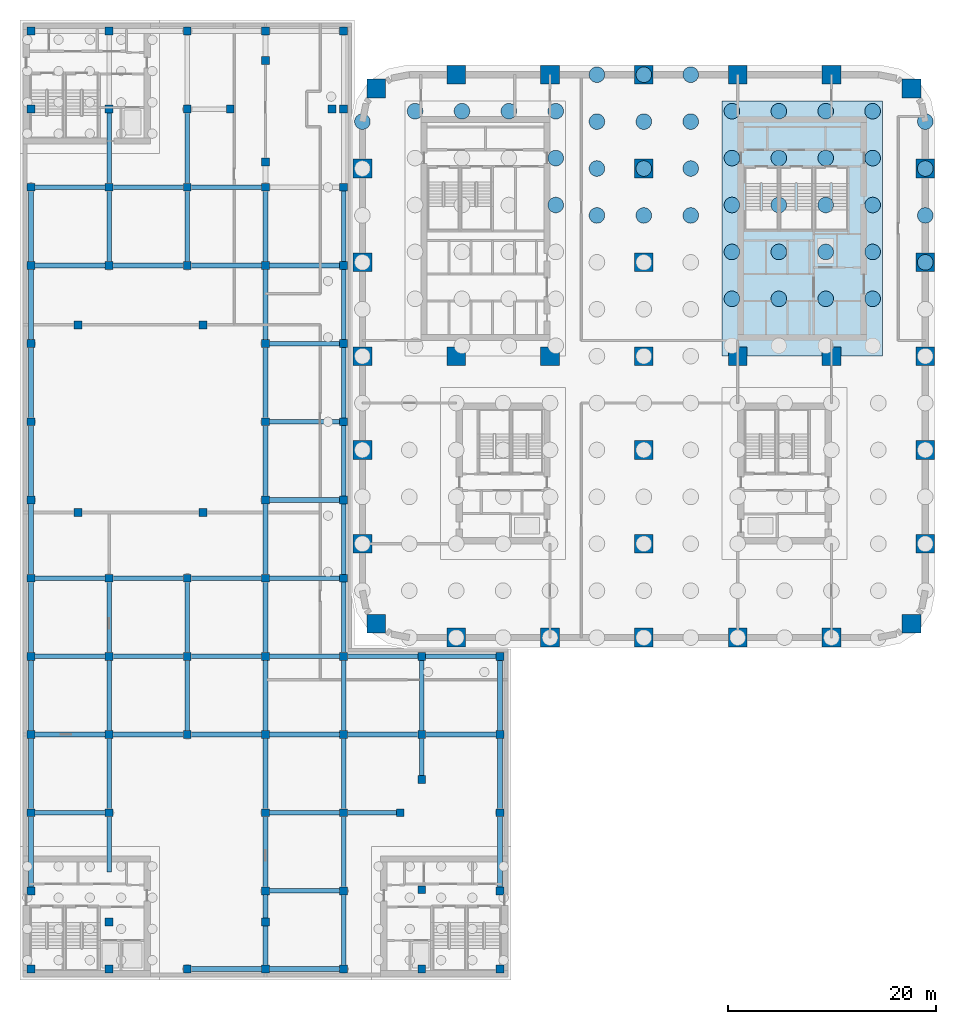
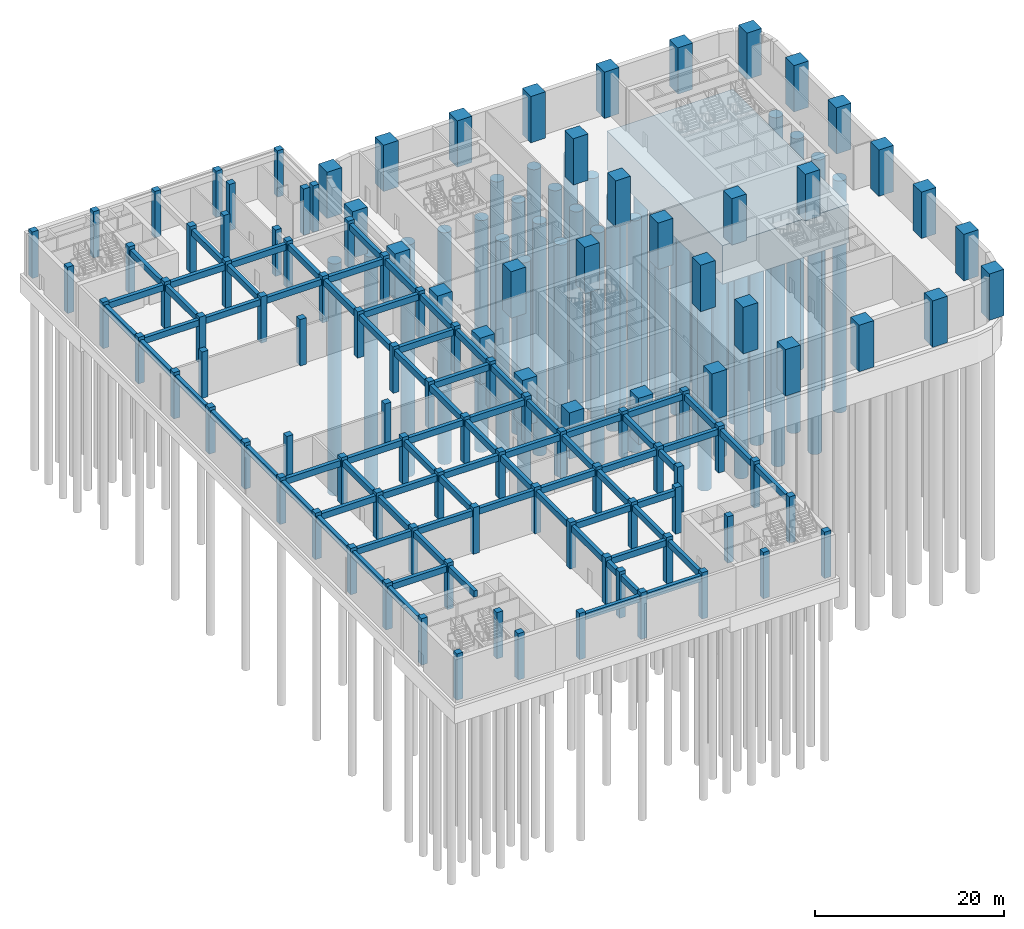
# One storey, part 2 of 26: 109 columns, 77 beams, 43 piles, 1 footing.
"""IFC4 building model written with IfcOpenShell, lengths in metres."""

import ifcopenshell
import ifcopenshell.guid

model = None  # the IFC model being written
_history = None  # IfcOwnerHistory: only IFC2X3 demands one
_inside = {}  # id of a spatial element -> (the spatial element, [elements in it])
_under = {}  # id of a project, library or spatial element -> (it, [spatial elements below it])
_declared = {}  # id of a project -> (the project, [libraries it declares])
_typed = {}  # id of a type object -> (the type object, [elements of that type])
_made_of = {}  # id of a material, layer set ... -> (it, [elements and type objects made of it])


def new_model(schema):
    """Start an empty IFC model of exactly this schema.

    Asked for "IFC4X3", IfcOpenShell would pick the latest addendum, in which some entities
    have other attributes; the version numbers below select the first issue.
    IFC2X3 requires an IfcOwnerHistory on every rooted entity: one is made here for all.
    """
    global model, _history
    if schema == "IFC4X3":
        model = ifcopenshell.file(schema_version=(4, 3, 0, 0))
    else:
        model = ifcopenshell.file(schema=schema)
    _inside.clear()
    _under.clear()
    _declared.clear()
    _typed.clear()
    _made_of.clear()
    _history = None
    if model.schema == "IFC2X3":
        org = make("IfcOrganization", Name="unknown")
        user = make(
            "IfcPersonAndOrganization",
            ThePerson=make("IfcPerson", FamilyName="unknown"),
            TheOrganization=org,
        )
        app = make(
            "IfcApplication",
            ApplicationDeveloper=org,
            Version="unknown",
            ApplicationFullName="unknown",
            ApplicationIdentifier="unknown",
        )
        _history = make(
            "IfcOwnerHistory",
            OwningUser=user,
            OwningApplication=app,
            ChangeAction="ADDED",
            CreationDate=0,
        )
    return model


def make(cls, **values):
    """One entity of the class cls with the attributes given. An attribute that is None is left unset."""
    return model.create_entity(
        cls, **{name: value for name, value in values.items() if value is not None}
    )


def rooted(cls, **values):
    """An entity with a GlobalId (a new one), such as an element, a storey or a relation."""
    return make(cls, GlobalId=ifcopenshell.guid.new(), OwnerHistory=_history, **values)


def si_unit(unit_type, name, prefix=None):
    """IfcSIUnit, for example si_unit("LENGTHUNIT", "METRE", prefix="MILLI")."""
    return make("IfcSIUnit", UnitType=unit_type, Prefix=prefix, Name=name)


def assignment(units):
    """IfcUnitAssignment: the units of a project."""
    return None if units is None else make("IfcUnitAssignment", Units=units)


def point(xyz):
    """IfcCartesianPoint."""
    return None if xyz is None else make("IfcCartesianPoint", Coordinates=xyz)


def direction(xyz):
    """IfcDirection."""
    return None if xyz is None else make("IfcDirection", DirectionRatios=xyz)


def frame(location, z_axis=None, x_axis=None):
    """IfcAxis2Placement3D, a coordinate frame: its origin and axes. An axis left out is left unset."""
    return make(
        "IfcAxis2Placement3D",
        Location=point(location),
        Axis=direction(z_axis),
        RefDirection=direction(x_axis),
    )


def frame_2d(location, x_axis=None):
    """IfcAxis2Placement2D, a coordinate frame in the plane: its origin and x axis."""
    return make(
        "IfcAxis2Placement2D", Location=point(location), RefDirection=direction(x_axis)
    )


def origin():
    """The frame at (0, 0, 0) with its axes left unset."""
    return frame((0.0, 0.0, 0.0))


def origin_2d():
    """The frame at (0, 0) in the plane with its x axis left unset."""
    return frame_2d((0.0, 0.0))


def place(relative_to, where):
    """IfcLocalPlacement: puts the frame where relative to a parent placement (None: the world)."""
    return make(
        "IfcLocalPlacement", PlacementRelTo=relative_to, RelativePlacement=where
    )


def context(
    kind, dimensions, precision=None, world=None, true_north=None, identifier=None
):
    """IfcGeometricRepresentationContext, for example the 3D "Model" context."""
    return make(
        "IfcGeometricRepresentationContext",
        ContextIdentifier=identifier,
        ContextType=kind,
        CoordinateSpaceDimension=dimensions,
        Precision=precision,
        WorldCoordinateSystem=world,
        TrueNorth=true_north,
    )


def subcontext(parent, identifier, kind, view, scale=None):
    """IfcGeometricRepresentationSubContext, for example "Body" below "Model"."""
    return make(
        "IfcGeometricRepresentationSubContext",
        ContextIdentifier=identifier,
        ContextType=kind,
        ParentContext=parent,
        TargetScale=scale,
        TargetView=view,
    )


def project(units=None, contexts=None):
    """IfcProject with its units and contexts."""
    return rooted(
        "IfcProject",
        Name="project",
        RepresentationContexts=contexts,
        UnitsInContext=assignment(units),
    )


def spatial(cls, under=None, at=None, **own):
    """A site, building, storey or space (cls), placed at a placement, below another one or the project."""
    s = rooted(cls, ObjectPlacement=at, **own)
    if under is not None:
        _under.setdefault(under.id(), (under, []))[1].append(s)
    return s


def polyline(points):
    """IfcPolyline through the points."""
    return make("IfcPolyline", Points=[point(p) for p in points])


def profile(cls, at=None, kind="AREA", **sizes):
    """A parametric profile (cls). Its sizes go by their IFC names, for example OverallWidth=200.0."""
    return make(cls, ProfileType=kind, Position=at, **sizes)


def rectangle(**sizes):
    """IfcRectangleProfileDef."""
    return profile("IfcRectangleProfileDef", **sizes)


def circle(**sizes):
    """IfcCircleProfileDef."""
    return profile("IfcCircleProfileDef", **sizes)


def outline(outer, holes=None, kind="AREA"):
    """IfcArbitraryClosedProfileDef: a profile drawn as a closed curve; with holes, ...WithVoids."""
    if holes is None:
        return make("IfcArbitraryClosedProfileDef", ProfileType=kind, OuterCurve=outer)
    return make(
        "IfcArbitraryProfileDefWithVoids",
        ProfileType=kind,
        OuterCurve=outer,
        InnerCurves=holes,
    )


def extrude(swept, where, along, depth):
    """IfcExtrudedAreaSolid: the profile swept, set in the frame where, extruded along a direction by depth."""
    return make(
        "IfcExtrudedAreaSolid",
        SweptArea=swept,
        Position=where,
        ExtrudedDirection=direction(along),
        Depth=depth,
    )


def shape(context_of_items, identifier, shape_type, items):
    """IfcShapeRepresentation: the items that make up one representation, for example the "Body"."""
    return make(
        "IfcShapeRepresentation",
        ContextOfItems=context_of_items,
        RepresentationIdentifier=identifier,
        RepresentationType=shape_type,
        Items=items,
    )


def material(Name=None, Category=None):
    """IfcMaterial."""
    return make("IfcMaterial", Name=Name, Category=Category)


def layer(
    of_material, thickness, ventilated=None, Name=None, Category=None, Priority=None
):
    """IfcMaterialLayer: one layer of a wall or slab, of a material (None: an air gap)."""
    return make(
        "IfcMaterialLayer",
        Material=of_material,
        LayerThickness=thickness,
        IsVentilated=ventilated,
        Name=Name,
        Category=Category,
        Priority=Priority,
    )


def layer_set(layers, Name=None):
    """IfcMaterialLayerSet."""
    return make("IfcMaterialLayerSet", MaterialLayers=layers, LayerSetName=Name)


def material_profile(
    of_material, cross_section, Name=None, Category=None, Priority=None
):
    """IfcMaterialProfile: a cross section and its material."""
    return make(
        "IfcMaterialProfile",
        Name=Name,
        Material=of_material,
        Profile=cross_section,
        Priority=Priority,
        Category=Category,
    )


def profile_set(profiles, Name=None, composite=None):
    """IfcMaterialProfileSet."""
    return make(
        "IfcMaterialProfileSet",
        Name=Name,
        MaterialProfiles=profiles,
        CompositeProfile=composite,
    )


def made_of(thing, what):
    """Note that an element or type object is made of a material, layer set ...; save() writes the relation."""
    if what is not None:
        _made_of.setdefault(what.id(), (what, []))[1].append(thing)
    return thing


def type_object(cls, material=None, **own):
    """A type object (cls), such as IfcWallType, which elements share."""
    return made_of(rooted(cls, **own), material)


def element(
    cls,
    number,
    at=None,
    inside=None,
    cuts=None,
    type_object=None,
    material=None,
    context=None,
    identifier="Body",
    shape_type=None,
    held_by="IfcProductDefinitionShape",
    body=None,
    shapes=None,
    **own,
):
    """One element of the class cls, such as IfcWall. Its Tag is "e" and its number.

    at: its placement. inside: the storey or other place that contains it. cuts: it is an
    opening in that element (IfcRelVoidsElement). A single representation is given by context,
    identifier, shape_type and body (its items); several are given by shapes. held_by: the class
    of the entity that holds the representations. save() writes the other relations.
    """
    e = rooted(cls, Tag="e%d" % number, ObjectPlacement=at, **own)
    if body is not None:
        shapes = [shape(context, identifier, shape_type, body)]
    if shapes is not None:
        e.Representation = make(held_by, Representations=shapes)
    if inside is not None:
        _inside.setdefault(inside.id(), (inside, []))[1].append(e)
    if cuts is not None:
        rooted(
            "IfcRelVoidsElement", RelatingBuildingElement=cuts, RelatedOpeningElement=e
        )
    if type_object is not None:
        _typed.setdefault(type_object.id(), (type_object, []))[1].append(e)
    return made_of(e, material)


def aggregate(whole, parts):
    """IfcRelAggregates: a whole, such as a stair, and the parts it consists of."""
    return rooted("IfcRelAggregates", RelatingObject=whole, RelatedObjects=parts)


def save(model, path):
    """Write the relations noted so far, then the file.

    IfcRelAggregates (storeys below a building ...), IfcRelContainedInSpatialStructure (elements
    in a storey), IfcRelDefinesByType, IfcRelAssociatesMaterial and IfcRelDeclares: one each for
    every whole, place, type object, material and project.
    """
    for whole, parts in _under.values():
        aggregate(whole, parts)
    for where, things in _inside.values():
        rooted(
            "IfcRelContainedInSpatialStructure",
            RelatedElements=things,
            RelatingStructure=where,
        )
    for kind, things in _typed.values():
        rooted("IfcRelDefinesByType", RelatedObjects=things, RelatingType=kind)
    for what, things in _made_of.values():
        rooted("IfcRelAssociatesMaterial", RelatedObjects=things, RelatingMaterial=what)
    for by, libraries in _declared.values():
        rooted("IfcRelDeclares", RelatingContext=by, RelatedDefinitions=libraries)
    model.write(path)


model = new_model("IFC4")

# Units and contexts
model_context = context("Model", 3, precision=1e-05, world=origin(), true_north=direction((0.0, 1.0)))
body_context = subcontext(model_context, "Body", "Model", "MODEL_VIEW")
ifc_project = project(units=[si_unit("LENGTHUNIT", "METRE"), si_unit("AREAUNIT", "SQUARE_METRE"), si_unit("VOLUMEUNIT", "CUBIC_METRE"), si_unit("PLANEANGLEUNIT", "RADIAN"), si_unit("MASSUNIT", "GRAM", prefix="KILO")], contexts=[model_context])

# Site, building, storey
site_placement = place(None, origin())
site = spatial("IfcSite", under=ifc_project, at=site_placement, CompositionType="ELEMENT")
building_placement = place(site_placement, origin())
building = spatial("IfcBuilding", under=site, at=building_placement, Name="Tessera Arch", CompositionType="ELEMENT")
storey_placement = place(building_placement, frame((0.0, 0.0, -6.0)))
storey = spatial("IfcBuildingStorey", under=building, at=storey_placement, Name="B1", CompositionType="ELEMENT", Elevation=-6.0)

# Piles
ifc_material_1 = material(Name="Concrete C40/50", Category="concrete")
pile_type = type_object("IfcPileType", Name="Bored pile 1500 Concrete C40/50", PredefinedType="BORED", material=ifc_material_1)
for number, where, z_axis, x_axis, name in (
    (1, (54.0, 36.0, -3.800048828125), (0.0, 0.0, -1.0), (1.0, 0.0, 0.0), "Bored pile T067"),
    (2, (22.5, 40.5, -3.800048828125), (0.0, 0.0, -1.0), (1.0, 0.0, 0.0), "Bored pile T069"),
    (3, (27.0, 40.5, -3.800048828125), (0.0, 0.0, -1.0), (1.0, 0.0, 0.0), "Bored pile T070"),
    (4, (31.5, 40.5, -3.800048828125), (0.0, 0.0, -1.0), (1.0, 0.0, 0.0), "Bored pile T071"),
    (5, (54.0, 40.5, -3.800048828125), (0.0, 0.0, -1.0), (1.0, 0.0, 0.0), "Bored pile T072"),
    (6, (22.5, 45.0, -3.800048828125), (0.0, 0.0, -1.0), (1.0, 0.0, 0.0), "Bored pile T074"),
    (7, (27.0, 45.0, -3.800048828125), (0.0, 0.0, -1.0), (1.0, 0.0, 0.0), "Bored pile T075"),
    (8, (31.5, 45.0, -3.800048828125), (0.0, 0.0, -1.0), (1.0, 0.0, 0.0), "Bored pile T076"),
    (9, (54.0, 45.0, -3.800048828125), (0.0, 0.0, -1.0), (1.0, 0.0, 0.0), "Bored pile T077"),
    (10, (0.0, 49.5, -3.800048828125), (0.0, 0.0, -1.0), (1.0, 0.0, 0.0), "Bored pile T078"),
    (11, (22.5, 49.5, -3.800048828125), (0.0, 0.0, -1.0), (1.0, 0.0, 0.0), "Bored pile T079"),
    (12, (27.0, 49.5, -3.800048828125), (0.0, 0.0, -1.0), (1.0, 0.0, 0.0), "Bored pile T080"),
    (13, (31.5, 49.5, -3.800048828125), (0.0, 0.0, -1.0), (1.0, 0.0, 0.0), "Bored pile T081"),
    (14, (54.0, 49.5, -3.800048828125), (0.0, 0.0, -1.0), (1.0, 0.0, 0.0), "Bored pile T082"),
    (15, (22.5, 54.0, -3.800048828125), (0.0, 0.0, -1.0), (1.0, 0.0, 0.0), "Bored pile T083"),
    (16, (27.0, 54.0, -3.800048828125), (0.0, 0.0, -1.0), (1.0, 0.0, 0.0), "Bored pile T084"),
    (17, (31.5, 54.0, -3.800048828125), (0.0, 0.0, -1.0), (1.0, 0.0, 0.0), "Bored pile T085"),
    (18, (35.449951171875, 32.5, -5.300048828125), (0.0, 0.0, -1.0), (1.0, 0.0, 0.0), "Bored pile C1-05"),
    (19, (39.949951171875, 32.5, -5.300048828125), (0.0, 0.0, -1.0), (1.0, 0.0, 0.0), "Bored pile C1-06"),
    (20, (44.449951171875, 32.5, -5.300048828125), (0.0, 0.0, -1.0), (1.0, 0.0, 0.0), "Bored pile C1-07"),
    (21, (48.949951171875, 32.5, -5.300048828125), (0.0, 0.0, -1.0), (1.0, 0.0, 0.0), "Bored pile C1-08"),
    (22, (35.449951171875, 37.0, -5.300048828125), (0.0, 0.0, -1.0), (1.0, 0.0, 0.0), "Bored pile C1-09"),
    (23, (39.949951171875, 37.0, -5.300048828125), (0.0, 0.0, -1.0), (1.0, 0.0, 0.0), "Bored pile C1-10"),
    (24, (44.449951171875, 37.0, -5.300048828125), (0.0, 0.0, -1.0), (1.0, 0.0, 0.0), "Bored pile C1-11"),
    (25, (48.949951171875, 37.0, -5.300048828125), (0.0, 0.0, -1.0), (1.0, 0.0, 0.0), "Bored pile C1-12"),
    (26, (35.449951171875, 41.5, -5.300048828125), (0.0, 0.0, -1.0), (1.0, 0.0, 0.0), "Bored pile C1-13"),
    (27, (39.949951171875, 41.5, -5.300048828125), (0.0, 0.0, -1.0), (1.0, 0.0, 0.0), "Bored pile C1-14"),
    (28, (44.449951171875, 41.5, -5.300048828125), (0.0, 0.0, -1.0), (1.0, 0.0, 0.0), "Bored pile C1-15"),
    (29, (48.949951171875, 41.5, -5.300048828125), (0.0, 0.0, -1.0), (1.0, 0.0, 0.0), "Bored pile C1-16"),
    (30, (35.449951171875, 46.0, -5.300048828125), (0.0, 0.0, -1.0), (1.0, 0.0, 0.0), "Bored pile C1-17"),
    (31, (39.949951171875, 46.0, -5.300048828125), (0.0, 0.0, -1.0), (1.0, 0.0, 0.0), "Bored pile C1-18"),
    (32, (44.449951171875, 46.0, -5.300048828125), (0.0, 0.0, -1.0), (1.0, 0.0, 0.0), "Bored pile C1-19"),
    (33, (48.949951171875, 46.0, -5.300048828125), (0.0, 0.0, -1.0), (1.0, 0.0, 0.0), "Bored pile C1-20"),
    (34, (35.449951171875, 50.5, -5.300048828125), (0.0, 0.0, -1.0), (1.0, 0.0, 0.0), "Bored pile C1-21"),
    (35, (39.949951171875, 50.5, -5.300048828125), (0.0, 0.0, -1.0), (1.0, 0.0, 0.0), "Bored pile C1-22"),
    (36, (44.449951171875, 50.5, -5.300048828125), (0.0, 0.0, -1.0), (1.0, 0.0, 0.0), "Bored pile C1-23"),
    (37, (48.949951171875, 50.5, -5.300048828125), (0.0, 0.0, -1.0), (1.0, 0.0, 0.0), "Bored pile C1-24"),
    (38, (18.550048828125, 41.5, -5.300048828125), (0.0, 0.0, -1.0), (1.0, 0.0, 0.0), "Bored pile C2-16"),
    (39, (18.550048828125, 46.0, -5.300048828125), (0.0, 0.0, -1.0), (1.0, 0.0, 0.0), "Bored pile C2-20"),
    (40, (5.050048828125, 50.5, -5.300048828125), (0.0, 0.0, -1.0), (1.0, 0.0, 0.0), "Bored pile C2-21"),
    (41, (9.550048828125, 50.5, -5.300048828125), (0.0, 0.0, -1.0), (1.0, 0.0, 0.0), "Bored pile C2-22"),
    (42, (14.050048828125, 50.5, -5.300048828125), (0.0, 0.0, -1.0), (1.0, 0.0, 0.0), "Bored pile C2-23"),
    (43, (18.550048828125, 50.5, -5.300048828125), (0.0, 0.0, -1.0), (1.0, 0.0, 0.0), "Bored pile C2-24"),
):
    element("IfcPile", number, at=place(storey_placement, frame(where, z_axis=z_axis, x_axis=x_axis)), inside=storey, type_object=pile_type, Name=name, PredefinedType="BORED", context=body_context, shape_type="SweptSolid", body=[
        extrude(circle(Radius=0.75, at=origin_2d()), origin(), (0.0, 0.0, 1.0), 30.0),
    ])

# Footing
ifc_material_2 = material(Name="Concrete C50/60", Category="concrete")
ifc_layer = layer(ifc_material_2, 5.0)
ifc_layer_set = layer_set([ifc_layer], Name="Core pad 5000 Concrete C50/60")
footing_type = type_object("IfcFootingType", Name="Core pad 5000 Concrete C50/60", PredefinedType="PILE_CAP", material=ifc_layer_set)
footing_placement = place(storey_placement, frame((0.0, 0.0, -5.39990234375)))
element("IfcFooting", 44, at=footing_placement, inside=storey, type_object=footing_type, Name="Core pad C1", PredefinedType="PILE_CAP", context=body_context, shape_type="SweptSolid", body=[
    extrude(outline(polyline([(34.5, 27.0), (34.5, 51.5), (49.89990234375, 51.5), (49.89990234375, 27.0), (34.5, 27.0)])), origin(), (0.0, 0.0, 1.0), 5.0),
])

# Columns
ifc_material_3 = material(Name="Concrete C50/60", Category="concrete")
ifc_material_profile_1 = material_profile(ifc_material_3, rectangle(XDim=0.75, YDim=0.75, at=origin_2d()), Name="Museum column 750 x 750 Concrete C50/60")
ifc_profile_set_1 = profile_set([ifc_material_profile_1], Name="Concrete C50/60")
column_type_1 = type_object("IfcColumnType", Name="Museum column 750 x 750 Concrete C50/60", PredefinedType="COLUMN", material=ifc_profile_set_1)
for number, where, z_axis, x_axis, name in (
    (45, (-31.800048828125, -31.800048828125, 0.0), (0.0, 0.0, 1.0), (1.0, 0.0, 0.0), "Museum column P1Q1 B1"),
    (46, (-31.800048828125, -24.300048828125, 0.0), (0.0, 0.0, 1.0), (1.0, 0.0, 0.0), "Museum column P1Q2 B1"),
    (47, (-31.800048828125, -16.800048828125, 0.0), (0.0, 0.0, 1.0), (1.0, 0.0, 0.0), "Museum column P1Q3 B1"),
    (48, (-31.800048828125, -9.300048828125, 0.0), (0.0, 0.0, 1.0), (1.0, 0.0, 0.0), "Museum column P1Q4 B1"),
    (49, (-31.800048828125, -1.800048828125, 0.0), (0.0, 0.0, 1.0), (1.0, 0.0, 0.0), "Museum column P1Q5 B1"),
    (50, (-31.800048828125, 5.699951171875, 0.0), (0.0, 0.0, 1.0), (1.0, 0.0, 0.0), "Museum column P1Q6 B1"),
    (51, (-31.800048828125, 13.199951171875, 0.0), (0.0, 0.0, 1.0), (1.0, 0.0, 0.0), "Museum column P1Q7 B1"),
    (52, (-31.800048828125, 20.699951171875, 0.0), (0.0, 0.0, 1.0), (1.0, 0.0, 0.0), "Museum column P1Q8 B1"),
    (53, (-31.800048828125, 28.199951171875, 0.0), (0.0, 0.0, 1.0), (1.0, 0.0, 0.0), "Museum column P1Q9 B1"),
    (54, (-31.800048828125, 35.699951171875, 0.0), (0.0, 0.0, 1.0), (1.0, 0.0, 0.0), "Museum column P1Q10 B1"),
    (55, (-31.800048828125, 43.199951171875, 0.0), (0.0, 0.0, 1.0), (1.0, 0.0, 0.0), "Museum column P1Q11 B1"),
    (56, (-31.800048828125, 50.699951171875, 0.0), (0.0, 0.0, 1.0), (1.0, 0.0, 0.0), "Museum column P1Q12 B1"),
    (57, (-31.800048828125, 58.199951171875, 0.0), (0.0, 0.0, 1.0), (1.0, 0.0, 0.0), "Museum column P1Q13 B1"),
    (58, (-24.300048828125, -31.800048828125, 0.0), (0.0, 0.0, 1.0), (1.0, 0.0, 0.0), "Museum column P2Q1 B1"),
    (59, (-24.300048828125, -16.800048828125, 0.0), (0.0, 0.0, 1.0), (1.0, 0.0, 0.0), "Museum column P2Q3 B1"),
    (60, (-24.300048828125, -9.300048828125, 0.0), (0.0, 0.0, 1.0), (1.0, 0.0, 0.0), "Museum column P2Q4 B1"),
    (61, (-24.300048828125, -1.800048828125, 0.0), (0.0, 0.0, 1.0), (1.0, 0.0, 0.0), "Museum column P2Q5 B1"),
    (62, (-24.300048828125, 5.699951171875, 0.0), (0.0, 0.0, 1.0), (1.0, 0.0, 0.0), "Museum column P2Q6 B1"),
    (63, (-24.300048828125, 35.699951171875, 0.0), (0.0, 0.0, 1.0), (1.0, 0.0, 0.0), "Museum column P2Q10 B1"),
    (64, (-24.300048828125, 43.199951171875, 0.0), (0.0, 0.0, 1.0), (1.0, 0.0, 0.0), "Museum column P2Q11 B1"),
    (65, (-24.300048828125, 50.699951171875, 0.0), (0.0, 0.0, 1.0), (1.0, 0.0, 0.0), "Museum column P2Q12 B1"),
    (66, (-24.300048828125, 58.199951171875, 0.0), (0.0, 0.0, 1.0), (1.0, 0.0, 0.0), "Museum column P2Q13 B1"),
    (67, (-16.800048828125, -31.800048828125, 0.0), (0.0, 0.0, 1.0), (1.0, 0.0, 0.0), "Museum column P3Q1 B1"),
    (68, (-16.800048828125, -9.300048828125, 0.0), (0.0, 0.0, 1.0), (1.0, 0.0, 0.0), "Museum column P3Q4 B1"),
    (69, (-16.800048828125, -1.800048828125, 0.0), (0.0, 0.0, 1.0), (1.0, 0.0, 0.0), "Museum column P3Q5 B1"),
    (70, (-16.800048828125, 5.699951171875, 0.0), (0.0, 0.0, 1.0), (1.0, 0.0, 0.0), "Museum column P3Q6 B1"),
    (71, (-16.800048828125, 35.699951171875, 0.0), (0.0, 0.0, 1.0), (1.0, 0.0, 0.0), "Museum column P3Q10 B1"),
    (72, (-16.800048828125, 43.199951171875, 0.0), (0.0, 0.0, 1.0), (1.0, 0.0, 0.0), "Museum column P3Q11 B1"),
    (73, (-16.800048828125, 50.699951171875, 0.0), (0.0, 0.0, 1.0), (1.0, 0.0, 0.0), "Museum column P3Q12 B1"),
    (74, (-16.800048828125, 58.199951171875, 0.0), (0.0, 0.0, 1.0), (1.0, 0.0, 0.0), "Museum column P3Q13 B1"),
    (75, (-9.300048828125, -31.800048828125, 0.0), (0.0, 0.0, 1.0), (1.0, 0.0, 0.0), "Museum column P4Q1 B1"),
    (76, (-9.300048828125, -24.300048828125, 0.0), (0.0, 0.0, 1.0), (1.0, 0.0, 0.0), "Museum column P4Q2 B1"),
    (77, (-9.300048828125, -16.800048828125, 0.0), (0.0, 0.0, 1.0), (1.0, 0.0, 0.0), "Museum column P4Q3 B1"),
    (78, (-9.300048828125, -9.300048828125, 0.0), (0.0, 0.0, 1.0), (1.0, 0.0, 0.0), "Museum column P4Q4 B1"),
    (79, (-9.300048828125, -1.800048828125, 0.0), (0.0, 0.0, 1.0), (1.0, 0.0, 0.0), "Museum column P4Q5 B1"),
    (80, (-9.300048828125, 5.699951171875, 0.0), (0.0, 0.0, 1.0), (1.0, 0.0, 0.0), "Museum column P4Q6 B1"),
    (81, (-9.300048828125, 13.199951171875, 0.0), (0.0, 0.0, 1.0), (1.0, 0.0, 0.0), "Museum column P4Q7 B1"),
    (82, (-9.300048828125, 20.699951171875, 0.0), (0.0, 0.0, 1.0), (1.0, 0.0, 0.0), "Museum column P4Q8 B1"),
    (83, (-9.300048828125, 28.199951171875, 0.0), (0.0, 0.0, 1.0), (1.0, 0.0, 0.0), "Museum column P4Q9 B1"),
    (84, (-9.300048828125, 35.699951171875, 0.0), (0.0, 0.0, 1.0), (1.0, 0.0, 0.0), "Museum column P4Q10 B1"),
    (85, (-9.300048828125, 43.199951171875, 0.0), (0.0, 0.0, 1.0), (1.0, 0.0, 0.0), "Museum column P4Q11 B1"),
    (86, (-9.300048828125, 58.199951171875, 0.0), (0.0, 0.0, 1.0), (1.0, 0.0, 0.0), "Museum column P4Q13 B1"),
    (87, (-1.800048828125, -31.800048828125, 0.0), (0.0, 0.0, 1.0), (1.0, 0.0, 0.0), "Museum column P5Q1 B1"),
    (88, (-1.800048828125, -24.300048828125, 0.0), (0.0, 0.0, 1.0), (1.0, 0.0, 0.0), "Museum column P5Q2 B1"),
    (89, (-1.800048828125, -16.800048828125, 0.0), (0.0, 0.0, 1.0), (1.0, 0.0, 0.0), "Museum column P5Q3 B1"),
    (90, (-1.800048828125, -9.300048828125, 0.0), (0.0, 0.0, 1.0), (1.0, 0.0, 0.0), "Museum column P5Q4 B1"),
    (91, (-1.800048828125, -1.800048828125, 0.0), (0.0, 0.0, 1.0), (1.0, 0.0, 0.0), "Museum column P5Q5 B1"),
    (92, (-1.800048828125, 5.699951171875, 0.0), (0.0, 0.0, 1.0), (1.0, 0.0, 0.0), "Museum column P5Q6 B1"),
    (93, (-1.800048828125, 13.199951171875, 0.0), (0.0, 0.0, 1.0), (1.0, 0.0, 0.0), "Museum column P5Q7 B1"),
    (94, (-1.800048828125, 20.699951171875, 0.0), (0.0, 0.0, 1.0), (1.0, 0.0, 0.0), "Museum column P5Q8 B1"),
    (95, (-1.800048828125, 28.199951171875, 0.0), (0.0, 0.0, 1.0), (1.0, 0.0, 0.0), "Museum column P5Q9 B1"),
    (96, (-1.800048828125, 35.699951171875, 0.0), (0.0, 0.0, 1.0), (1.0, 0.0, 0.0), "Museum column P5Q10 B1"),
    (97, (-1.800048828125, 43.199951171875, 0.0), (0.0, 0.0, 1.0), (1.0, 0.0, 0.0), "Museum column P5Q11 B1"),
    (98, (-1.800048828125, 50.699951171875, 0.0), (0.0, 0.0, 1.0), (1.0, 0.0, 0.0), "Museum column P5Q12 B1"),
    (99, (-1.800048828125, 58.199951171875, 0.0), (0.0, 0.0, 1.0), (1.0, 0.0, 0.0), "Museum column P5Q13 B1"),
    (100, (5.699951171875, -31.800048828125, 0.0), (0.0, 0.0, 1.0), (1.0, 0.0, 0.0), "Museum column P6Q1 B1"),
    (101, (5.699951171875, -24.199951171875, 0.0), (0.0, 0.0, 1.0), (1.0, 0.0, 0.0), "Museum column P6Q2 B1"),
    (102, (5.699951171875, -9.300048828125, 0.0), (0.0, 0.0, 1.0), (1.0, 0.0, 0.0), "Museum column P6Q4 B1"),
    (103, (5.699951171875, -1.800048828125, 0.0), (0.0, 0.0, 1.0), (1.0, 0.0, 0.0), "Museum column P6Q5 B1"),
    (104, (13.199951171875, -31.800048828125, 0.0), (0.0, 0.0, 1.0), (1.0, 0.0, 0.0), "Museum column P7Q1 B1"),
    (105, (13.199951171875, -24.300048828125, 0.0), (0.0, 0.0, 1.0), (1.0, 0.0, 0.0), "Museum column P7Q2 B1"),
    (106, (13.199951171875, -16.800048828125, 0.0), (0.0, 0.0, 1.0), (1.0, 0.0, 0.0), "Museum column P7Q3 B1"),
    (107, (13.199951171875, -9.300048828125, 0.0), (0.0, 0.0, 1.0), (1.0, 0.0, 0.0), "Museum column P7Q4 B1"),
    (108, (13.199951171875, -1.800048828125, 0.0), (0.0, 0.0, 1.0), (1.0, 0.0, 0.0), "Museum column P7Q5 B1"),
    (109, (-27.300048828125, 12.0, 0.0), (0.0, 0.0, 1.0), (1.0, 0.0, 0.0), "Museum column C1 B1"),
    (110, (-15.300048828125, 12.0, 0.0), (0.0, 0.0, 1.0), (1.0, 0.0, 0.0), "Museum column C2 B1"),
    (111, (-15.300048828125, 30.0, 0.0), (0.0, 0.0, 1.0), (1.0, 0.0, 0.0), "Museum column C3 B1"),
    (112, (-27.300048828125, 30.0, 0.0), (0.0, 0.0, 1.0), (1.0, 0.0, 0.0), "Museum column C4 B1"),
    (113, (-24.300048828125, -27.300048828125, 0.0), (0.0, 0.0, 1.0), (1.0, 0.0, 0.0), "Museum column A1 B1"),
    (114, (-9.300048828125, -27.300048828125, 0.0), (0.0, 0.0, 1.0), (1.0, 0.0, 0.0), "Museum column A2 B1"),
    (115, (-12.675048828125, 50.699951171875, 0.0), (0.0, 0.0, 1.0), (1.0, 0.0, 0.0), "Museum column P3Q12TE B1"),
    (116, (-9.300048828125, 45.625, 0.0), (0.0, 0.0, 1.0), (1.0, 0.0, 0.0), "Museum column P4Q11TN B1"),
    (117, (-9.300048828125, 55.375, 0.0), (0.0, 0.0, 1.0), (1.0, 0.0, 0.0), "Museum column P4Q13TS B1"),
    (118, (3.625, -16.800048828125, 0.0), (0.0, 0.0, 1.0), (1.0, 0.0, 0.0), "Museum column P5Q3TE B1"),
    (119, (-2.925048828125, 50.699951171875, 0.0), (0.0, 0.0, 1.0), (1.0, 0.0, 0.0), "Museum column P5Q12TW B1"),
    (120, (5.699951171875, -13.625, 0.0), (0.0, 0.0, 1.0), (1.0, 0.0, 0.0), "Museum column P6Q4TS B1"),
):
    element("IfcColumn", number, at=place(storey_placement, frame(where, z_axis=z_axis, x_axis=x_axis)), inside=storey, type_object=column_type_1, Name=name, PredefinedType="COLUMN", context=body_context, shape_type="SweptSolid", body=[
        extrude(rectangle(XDim=0.75, YDim=0.75, at=origin_2d()), origin(), (0.0, 0.0, 1.0), 6.0),
    ])
ifc_material_4 = material(Name="Concrete C80/95", Category="concrete")
ifc_material_profile_2 = material_profile(ifc_material_4, rectangle(XDim=1.800048828125, YDim=1.800048828125, at=origin_2d()), Name="RC column 1800 x 1800 Concrete C80/95")
ifc_profile_set_2 = profile_set([ifc_material_profile_2], Name="Concrete C80/95")
column_type_2 = type_object("IfcColumnType", Name="RC column 1800 x 1800 Concrete C80/95", PredefinedType="COLUMN", material=ifc_profile_set_2)
for number, where, z_axis, x_axis, name in (
    (121, (1.318115234375, 1.318115234375, 0.0), (0.0, 0.0, 1.0), (1.0, 0.0, 0.0), "Column C1A B1"),
    (122, (0.0, 9.0, 0.0), (0.0, 0.0, 1.0), (1.0, 0.0, 0.0), "Column C1B B1"),
    (123, (0.0, 18.0, 0.0), (0.0, 0.0, 1.0), (1.0, 0.0, 0.0), "Column C1C B1"),
    (124, (0.0, 27.0, 0.0), (0.0, 0.0, 1.0), (1.0, 0.0, 0.0), "Column C1D B1"),
    (125, (0.0, 36.0, 0.0), (0.0, 0.0, 1.0), (1.0, 0.0, 0.0), "Column C1E B1"),
    (126, (0.0, 45.0, 0.0), (0.0, 0.0, 1.0), (1.0, 0.0, 0.0), "Column C1F B1"),
    (127, (1.318115234375, 52.681884765625, 0.0), (0.0, 0.0, 1.0), (1.0, 0.0, 0.0), "Column C1G B1"),
    (128, (9.0, 0.0, 0.0), (0.0, 0.0, 1.0), (1.0, 0.0, 0.0), "Column C2A B1"),
    (129, (9.0, 27.0, 0.0), (0.0, 0.0, 1.0), (1.0, 0.0, 0.0), "Column C2D B1"),
    (130, (9.0, 54.0, 0.0), (0.0, 0.0, 1.0), (1.0, 0.0, 0.0), "Column C2G B1"),
    (131, (18.0, 0.0, 0.0), (0.0, 0.0, 1.0), (1.0, 0.0, 0.0), "Column C3A B1"),
    (132, (18.0, 27.0, 0.0), (0.0, 0.0, 1.0), (1.0, 0.0, 0.0), "Column C3D B1"),
    (133, (18.0, 54.0, 0.0), (0.0, 0.0, 1.0), (1.0, 0.0, 0.0), "Column C3G B1"),
    (134, (27.0, 0.0, 0.0), (0.0, 0.0, 1.0), (1.0, 0.0, 0.0), "Column C4A B1"),
    (135, (27.0, 9.0, 0.0), (0.0, 0.0, 1.0), (1.0, 0.0, 0.0), "Column C4B B1"),
    (136, (27.0, 18.0, 0.0), (0.0, 0.0, 1.0), (1.0, 0.0, 0.0), "Column C4C B1"),
    (137, (27.0, 27.0, 0.0), (0.0, 0.0, 1.0), (1.0, 0.0, 0.0), "Column C4D B1"),
    (138, (27.0, 36.0, 0.0), (0.0, 0.0, 1.0), (1.0, 0.0, 0.0), "Column C4E B1"),
    (139, (27.0, 45.0, 0.0), (0.0, 0.0, 1.0), (1.0, 0.0, 0.0), "Column C4F B1"),
    (140, (27.0, 54.0, 0.0), (0.0, 0.0, 1.0), (1.0, 0.0, 0.0), "Column C4G B1"),
    (141, (36.0, 0.0, 0.0), (0.0, 0.0, 1.0), (1.0, 0.0, 0.0), "Column C5A B1"),
    (142, (36.0, 27.0, 0.0), (0.0, 0.0, 1.0), (1.0, 0.0, 0.0), "Column C5D B1"),
    (143, (36.0, 54.0, 0.0), (0.0, 0.0, 1.0), (1.0, 0.0, 0.0), "Column C5G B1"),
    (144, (45.0, 0.0, 0.0), (0.0, 0.0, 1.0), (1.0, 0.0, 0.0), "Column C6A B1"),
    (145, (45.0, 27.0, 0.0), (0.0, 0.0, 1.0), (1.0, 0.0, 0.0), "Column C6D B1"),
    (146, (45.0, 54.0, 0.0), (0.0, 0.0, 1.0), (1.0, 0.0, 0.0), "Column C6G B1"),
    (147, (52.681884765625, 1.318115234375, 0.0), (0.0, 0.0, 1.0), (1.0, 0.0, 0.0), "Column C7A B1"),
    (148, (54.0, 9.0, 0.0), (0.0, 0.0, 1.0), (1.0, 0.0, 0.0), "Column C7B B1"),
    (149, (54.0, 18.0, 0.0), (0.0, 0.0, 1.0), (1.0, 0.0, 0.0), "Column C7C B1"),
    (150, (54.0, 27.0, 0.0), (0.0, 0.0, 1.0), (1.0, 0.0, 0.0), "Column C7D B1"),
    (151, (54.0, 36.0, 0.0), (0.0, 0.0, 1.0), (1.0, 0.0, 0.0), "Column C7E B1"),
    (152, (54.0, 45.0, 0.0), (0.0, 0.0, 1.0), (1.0, 0.0, 0.0), "Column C7F B1"),
    (153, (52.681884765625, 52.681884765625, 0.0), (0.0, 0.0, 1.0), (1.0, 0.0, 0.0), "Column C7G B1"),
):
    element("IfcColumn", number, at=place(storey_placement, frame(where, z_axis=z_axis, x_axis=x_axis)), inside=storey, type_object=column_type_2, Name=name, PredefinedType="COLUMN", context=body_context, shape_type="SweptSolid", body=[
        extrude(rectangle(XDim=1.800048828125, YDim=1.800048828125, at=origin_2d()), origin(), (0.0, 0.0, 1.0), 6.0),
    ])

# Beams
ifc_material_5 = material(Name="Concrete C40/50", Category="concrete")
ifc_material_profile_3 = material_profile(ifc_material_5, rectangle(XDim=0.449951171875, YDim=0.800048828125, at=origin_2d()), Name="Museum beam 450 x 800 Concrete C40/50")
ifc_profile_set_3 = profile_set([ifc_material_profile_3], Name="Concrete C40/50")
beam_type = type_object("IfcBeamType", Name="Museum beam 450 x 800 Concrete C40/50", PredefinedType="BEAM", material=ifc_profile_set_3)
for number, where, z_axis, x_axis, name in (
    (154, (-31.800048828125, -23.925048828125, 5.18994140625), (0.0, 1.0, 0.0), (-1.0, 0.0, 0.0), "Museum beam B1 1"),
    (155, (-31.800048828125, -16.425048828125, 5.18994140625), (0.0, 1.0, 0.0), (-1.0, 0.0, 0.0), "Museum beam B1 2"),
    (156, (-31.800048828125, -8.925048828125, 5.18994140625), (0.0, 1.0, 0.0), (-1.0, 0.0, 0.0), "Museum beam B1 3"),
    (157, (-31.800048828125, -1.425048828125, 5.18994140625), (0.0, 1.0, 0.0), (-1.0, 0.0, 0.0), "Museum beam B1 4"),
    (158, (-31.800048828125, 6.074951171875, 5.18994140625), (0.0, 1.0, 0.0), (-1.0, 0.0, 0.0), "Museum beam B1 5"),
    (159, (-31.800048828125, 13.574951171875, 5.18994140625), (0.0, 1.0, 0.0), (-1.0, 0.0, 0.0), "Museum beam B1 6"),
    (160, (-31.800048828125, 21.074951171875, 5.18994140625), (0.0, 1.0, 0.0), (-1.0, 0.0, 0.0), "Museum beam B1 7"),
    (161, (-31.800048828125, 28.574951171875, 5.18994140625), (0.0, 1.0, 0.0), (-1.0, 0.0, 0.0), "Museum beam B1 8"),
    (162, (-31.800048828125, 36.074951171875, 5.18994140625), (0.0, 1.0, 0.0), (-1.0, 0.0, 0.0), "Museum beam B1 9"),
    (163, (-24.300048828125, -16.425048828125, 5.18994140625), (0.0, 1.0, 0.0), (-1.0, 0.0, 0.0), "Museum beam B1 10"),
    (164, (-24.300048828125, -8.925048828125, 5.18994140625), (0.0, 1.0, 0.0), (-1.0, 0.0, 0.0), "Museum beam B1 11"),
    (165, (-24.300048828125, -1.425048828125, 5.18994140625), (0.0, 1.0, 0.0), (-1.0, 0.0, 0.0), "Museum beam B1 12"),
    (166, (-24.300048828125, 36.074951171875, 5.18994140625), (0.0, 1.0, 0.0), (-1.0, 0.0, 0.0), "Museum beam B1 13"),
    (167, (-24.300048828125, 43.574951171875, 5.18994140625), (0.0, 1.0, 0.0), (-1.0, 0.0, 0.0), "Museum beam B1 14"),
    (168, (-16.800048828125, -8.925048828125, 5.18994140625), (0.0, 1.0, 0.0), (-1.0, 0.0, 0.0), "Museum beam B1 16"),
    (169, (-16.800048828125, -1.425048828125, 5.18994140625), (0.0, 1.0, 0.0), (-1.0, 0.0, 0.0), "Museum beam B1 17"),
    (170, (-16.800048828125, 36.074951171875, 5.18994140625), (0.0, 1.0, 0.0), (-1.0, 0.0, 0.0), "Museum beam B1 18"),
    (171, (-16.800048828125, 43.574951171875, 5.18994140625), (0.0, 1.0, 0.0), (-1.0, 0.0, 0.0), "Museum beam B1 19"),
):
    element("IfcBeam", number, at=place(storey_placement, frame(where, z_axis=z_axis, x_axis=x_axis)), inside=storey, type_object=beam_type, Name=name, PredefinedType="BEAM", context=body_context, shape_type="SweptSolid", body=[
        extrude(rectangle(XDim=0.449951171875, YDim=0.800048828125, at=origin_2d()), origin(), (0.0, 0.0, 1.0), 6.75),
    ])
beam_1_placement = place(storey_placement, frame((-9.300048828125, -31.425048828125, 5.18994140625), z_axis=(0.0, 1.0, 0.0), x_axis=(-1.0, 0.0, 0.0)))
element("IfcBeam", 172, at=beam_1_placement, inside=storey, type_object=beam_type, Name="Museum beam B1 21", PredefinedType="BEAM", context=body_context, shape_type="SweptSolid", body=[
    extrude(rectangle(XDim=0.449951171875, YDim=0.800048828125, at=origin_2d()), origin(), (0.0, 0.0, 1.0), 3.75),
])
beam_2_placement = place(storey_placement, frame((-9.300048828125, -26.925048828125, 5.18994140625), z_axis=(0.0, 1.0, 0.0), x_axis=(-1.0, 0.0, 0.0)))
element("IfcBeam", 173, at=beam_2_placement, inside=storey, type_object=beam_type, Name="Museum beam B1 22", PredefinedType="BEAM", context=body_context, shape_type="SweptSolid", body=[
    extrude(rectangle(XDim=0.449951171875, YDim=0.800048828125, at=origin_2d()), origin(), (0.0, 0.0, 1.0), 2.25),
])
for number, where, z_axis, x_axis, name in (
    (174, (-9.300048828125, -23.925048828125, 5.18994140625), (0.0, 1.0, 0.0), (-1.0, 0.0, 0.0), "Museum beam B1 23"),
    (175, (-9.300048828125, -16.425048828125, 5.18994140625), (0.0, 1.0, 0.0), (-1.0, 0.0, 0.0), "Museum beam B1 24"),
    (176, (-9.300048828125, -8.925048828125, 5.18994140625), (0.0, 1.0, 0.0), (-1.0, 0.0, 0.0), "Museum beam B1 25"),
    (177, (-9.300048828125, -1.425048828125, 5.18994140625), (0.0, 1.0, 0.0), (-1.0, 0.0, 0.0), "Museum beam B1 26"),
    (178, (-9.300048828125, 6.074951171875, 5.18994140625), (0.0, 1.0, 0.0), (-1.0, 0.0, 0.0), "Museum beam B1 27"),
    (179, (-9.300048828125, 13.574951171875, 5.18994140625), (0.0, 1.0, 0.0), (-1.0, 0.0, 0.0), "Museum beam B1 28"),
    (180, (-9.300048828125, 21.074951171875, 5.18994140625), (0.0, 1.0, 0.0), (-1.0, 0.0, 0.0), "Museum beam B1 29"),
    (181, (-9.300048828125, 28.574951171875, 5.18994140625), (0.0, 1.0, 0.0), (-1.0, 0.0, 0.0), "Museum beam B1 30"),
    (182, (-9.300048828125, 36.074951171875, 5.18994140625), (0.0, 1.0, 0.0), (-1.0, 0.0, 0.0), "Museum beam B1 31"),
    (183, (-1.800048828125, -31.425048828125, 5.18994140625), (0.0, 1.0, 0.0), (-1.0, 0.0, 0.0), "Museum beam B1 34"),
    (184, (-1.800048828125, -23.925048828125, 5.18994140625), (0.0, 1.0, 0.0), (-1.0, 0.0, 0.0), "Museum beam B1 35"),
    (185, (-1.800048828125, -16.425048828125, 5.18994140625), (0.0, 1.0, 0.0), (-1.0, 0.0, 0.0), "Museum beam B1 36"),
    (186, (-1.800048828125, -8.925048828125, 5.18994140625), (0.0, 1.0, 0.0), (-1.0, 0.0, 0.0), "Museum beam B1 37"),
    (187, (-1.800048828125, -1.425048828125, 5.18994140625), (0.0, 1.0, 0.0), (-1.0, 0.0, 0.0), "Museum beam B1 38"),
    (188, (-1.800048828125, 6.074951171875, 5.18994140625), (0.0, 1.0, 0.0), (-1.0, 0.0, 0.0), "Museum beam B1 39"),
    (189, (-1.800048828125, 13.574951171875, 5.18994140625), (0.0, 1.0, 0.0), (-1.0, 0.0, 0.0), "Museum beam B1 40"),
    (190, (-1.800048828125, 21.074951171875, 5.18994140625), (0.0, 1.0, 0.0), (-1.0, 0.0, 0.0), "Museum beam B1 41"),
    (191, (-1.800048828125, 28.574951171875, 5.18994140625), (0.0, 1.0, 0.0), (-1.0, 0.0, 0.0), "Museum beam B1 42"),
    (192, (-1.800048828125, 36.074951171875, 5.18994140625), (0.0, 1.0, 0.0), (-1.0, 0.0, 0.0), "Museum beam B1 43"),
):
    element("IfcBeam", number, at=place(storey_placement, frame(where, z_axis=z_axis, x_axis=x_axis)), inside=storey, type_object=beam_type, Name=name, PredefinedType="BEAM", context=body_context, shape_type="SweptSolid", body=[
        extrude(rectangle(XDim=0.449951171875, YDim=0.800048828125, at=origin_2d()), origin(), (0.0, 0.0, 1.0), 6.75),
    ])
beam_3_placement = place(storey_placement, frame((5.699951171875, -13.25, 5.18994140625), z_axis=(0.0, 1.0, 0.0), x_axis=(-1.0, 0.0, 0.0)))
element("IfcBeam", 193, at=beam_3_placement, inside=storey, type_object=beam_type, Name="Museum beam B1 46", PredefinedType="BEAM", context=body_context, shape_type="SweptSolid", body=[
    extrude(rectangle(XDim=0.449951171875, YDim=0.800048828125, at=origin_2d()), origin(), (0.0, 0.0, 1.0), 3.574951171875),
])
for number, where, z_axis, x_axis, name in (
    (194, (5.699951171875, -8.925048828125, 5.18994140625), (0.0, 1.0, 0.0), (-1.0, 0.0, 0.0), "Museum beam B1 47"),
    (195, (13.199951171875, -23.925048828125, 5.18994140625), (0.0, 1.0, 0.0), (-1.0, 0.0, 0.0), "Museum beam B1 48"),
    (196, (13.199951171875, -16.425048828125, 5.18994140625), (0.0, 1.0, 0.0), (-1.0, 0.0, 0.0), "Museum beam B1 49"),
    (197, (13.199951171875, -8.925048828125, 5.18994140625), (0.0, 1.0, 0.0), (-1.0, 0.0, 0.0), "Museum beam B1 50"),
    (198, (-16.425048828125, -31.800048828125, 5.18994140625), (1.0, 0.0, 0.0), (0.0, 1.0, 0.0), "Museum beam B1 51"),
    (199, (-8.925048828125, -31.800048828125, 5.18994140625), (1.0, 0.0, 0.0), (0.0, 1.0, 0.0), "Museum beam B1 52"),
    (200, (-8.925048828125, -24.300048828125, 5.18994140625), (1.0, 0.0, 0.0), (0.0, 1.0, 0.0), "Museum beam B1 53"),
    (201, (-31.425048828125, -16.800048828125, 5.18994140625), (1.0, 0.0, 0.0), (0.0, 1.0, 0.0), "Museum beam B1 54"),
    (202, (-8.925048828125, -16.800048828125, 5.18994140625), (1.0, 0.0, 0.0), (0.0, 1.0, 0.0), "Museum beam B1 55"),
):
    element("IfcBeam", number, at=place(storey_placement, frame(where, z_axis=z_axis, x_axis=x_axis)), inside=storey, type_object=beam_type, Name=name, PredefinedType="BEAM", context=body_context, shape_type="SweptSolid", body=[
        extrude(rectangle(XDim=0.449951171875, YDim=0.800048828125, at=origin_2d()), origin(), (0.0, 0.0, 1.0), 6.75),
    ])
beam_4_placement = place(storey_placement, frame((-1.425048828125, -16.800048828125, 5.18994140625), z_axis=(1.0, 0.0, 0.0), x_axis=(0.0, 1.0, 0.0)))
element("IfcBeam", 203, at=beam_4_placement, inside=storey, type_object=beam_type, Name="Museum beam B1 56", PredefinedType="BEAM", context=body_context, shape_type="SweptSolid", body=[
    extrude(rectangle(XDim=0.449951171875, YDim=0.800048828125, at=origin_2d()), origin(), (0.0, 0.0, 1.0), 4.675048828125),
])
for number, where, z_axis, x_axis, name in (
    (204, (-31.425048828125, -9.300048828125, 5.18994140625), (1.0, 0.0, 0.0), (0.0, 1.0, 0.0), "Museum beam B1 57"),
    (205, (-23.925048828125, -9.300048828125, 5.18994140625), (1.0, 0.0, 0.0), (0.0, 1.0, 0.0), "Museum beam B1 58"),
    (206, (-16.425048828125, -9.300048828125, 5.18994140625), (1.0, 0.0, 0.0), (0.0, 1.0, 0.0), "Museum beam B1 59"),
    (207, (-8.925048828125, -9.300048828125, 5.18994140625), (1.0, 0.0, 0.0), (0.0, 1.0, 0.0), "Museum beam B1 60"),
    (208, (-1.425048828125, -9.300048828125, 5.18994140625), (1.0, 0.0, 0.0), (0.0, 1.0, 0.0), "Museum beam B1 61"),
    (209, (6.074951171875, -9.300048828125, 5.18994140625), (1.0, 0.0, 0.0), (0.0, 1.0, 0.0), "Museum beam B1 62"),
    (210, (-31.425048828125, -1.800048828125, 5.18994140625), (1.0, 0.0, 0.0), (0.0, 1.0, 0.0), "Museum beam B1 63"),
    (211, (-23.925048828125, -1.800048828125, 5.18994140625), (1.0, 0.0, 0.0), (0.0, 1.0, 0.0), "Museum beam B1 64"),
    (212, (-16.425048828125, -1.800048828125, 5.18994140625), (1.0, 0.0, 0.0), (0.0, 1.0, 0.0), "Museum beam B1 65"),
    (213, (-8.925048828125, -1.800048828125, 5.18994140625), (1.0, 0.0, 0.0), (0.0, 1.0, 0.0), "Museum beam B1 66"),
    (214, (-1.425048828125, -1.800048828125, 5.18994140625), (1.0, 0.0, 0.0), (0.0, 1.0, 0.0), "Museum beam B1 67"),
    (215, (6.074951171875, -1.800048828125, 5.18994140625), (1.0, 0.0, 0.0), (0.0, 1.0, 0.0), "Museum beam B1 68"),
    (216, (-31.425048828125, 5.699951171875, 5.18994140625), (1.0, 0.0, 0.0), (0.0, 1.0, 0.0), "Museum beam B1 69"),
    (217, (-23.925048828125, 5.699951171875, 5.18994140625), (1.0, 0.0, 0.0), (0.0, 1.0, 0.0), "Museum beam B1 70"),
    (218, (-16.425048828125, 5.699951171875, 5.18994140625), (1.0, 0.0, 0.0), (0.0, 1.0, 0.0), "Museum beam B1 71"),
    (219, (-8.925048828125, 5.699951171875, 5.18994140625), (1.0, 0.0, 0.0), (0.0, 1.0, 0.0), "Museum beam B1 72"),
    (220, (-8.925048828125, 13.199951171875, 5.18994140625), (1.0, 0.0, 0.0), (0.0, 1.0, 0.0), "Museum beam B1 73"),
    (221, (-8.925048828125, 20.699951171875, 5.18994140625), (1.0, 0.0, 0.0), (0.0, 1.0, 0.0), "Museum beam B1 74"),
    (222, (-8.925048828125, 28.199951171875, 5.18994140625), (1.0, 0.0, 0.0), (0.0, 1.0, 0.0), "Museum beam B1 75"),
    (223, (-31.425048828125, 35.699951171875, 5.18994140625), (1.0, 0.0, 0.0), (0.0, 1.0, 0.0), "Museum beam B1 76"),
    (224, (-23.925048828125, 35.699951171875, 5.18994140625), (1.0, 0.0, 0.0), (0.0, 1.0, 0.0), "Museum beam B1 77"),
    (225, (-16.425048828125, 35.699951171875, 5.18994140625), (1.0, 0.0, 0.0), (0.0, 1.0, 0.0), "Museum beam B1 78"),
    (226, (-8.925048828125, 35.699951171875, 5.18994140625), (1.0, 0.0, 0.0), (0.0, 1.0, 0.0), "Museum beam B1 79"),
    (227, (-31.425048828125, 43.199951171875, 5.18994140625), (1.0, 0.0, 0.0), (0.0, 1.0, 0.0), "Museum beam B1 80"),
    (228, (-23.925048828125, 43.199951171875, 5.18994140625), (1.0, 0.0, 0.0), (0.0, 1.0, 0.0), "Museum beam B1 81"),
    (229, (-16.425048828125, 43.199951171875, 5.18994140625), (1.0, 0.0, 0.0), (0.0, 1.0, 0.0), "Museum beam B1 82"),
):
    element("IfcBeam", number, at=place(storey_placement, frame(where, z_axis=z_axis, x_axis=x_axis)), inside=storey, type_object=beam_type, Name=name, PredefinedType="BEAM", context=body_context, shape_type="SweptSolid", body=[
        extrude(rectangle(XDim=0.449951171875, YDim=0.800048828125, at=origin_2d()), origin(), (0.0, 0.0, 1.0), 6.75),
    ])
beam_5_placement = place(storey_placement, frame((-24.300048828125, -17.175048828125, 5.18994140625), z_axis=(0.0, -1.0, 0.0), x_axis=(1.0, 0.0, 0.0)))
element("IfcBeam", 230, at=beam_5_placement, inside=storey, type_object=beam_type, Name="Museum beam B1 89", PredefinedType="BEAM", context=body_context, shape_type="SweptSolid", body=[
    extrude(rectangle(XDim=0.449951171875, YDim=0.800048828125, at=origin_2d()), origin(), (0.0, 0.0, 1.0), 5.324951171875),
])

save(model, "model.ifc")
